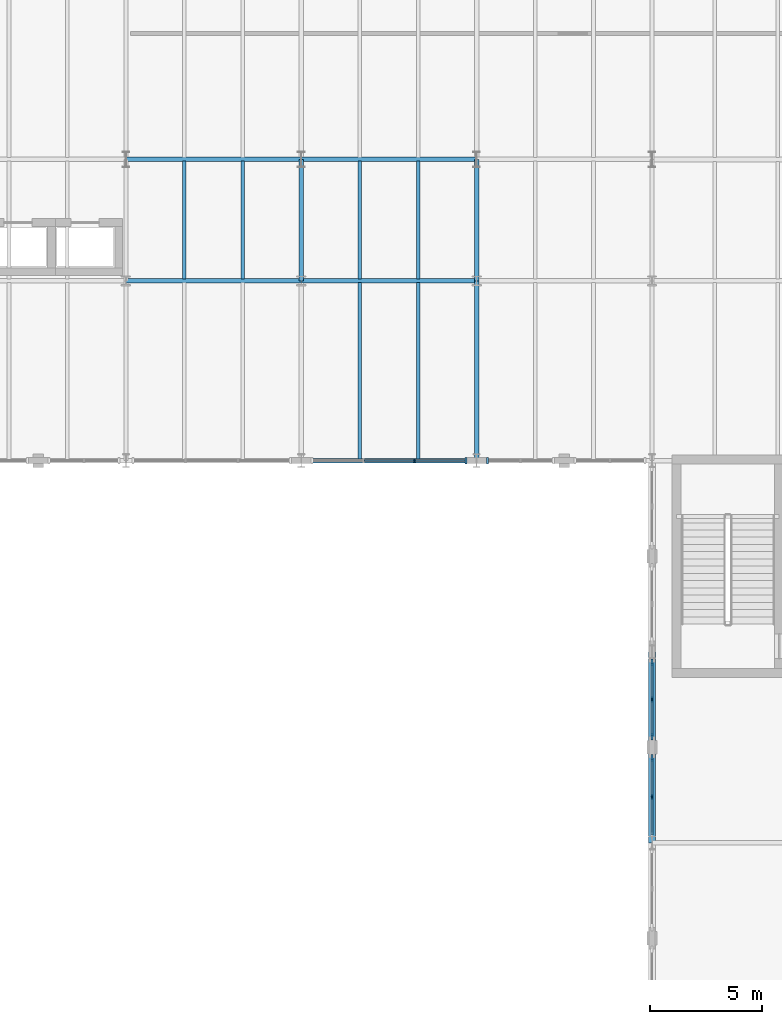
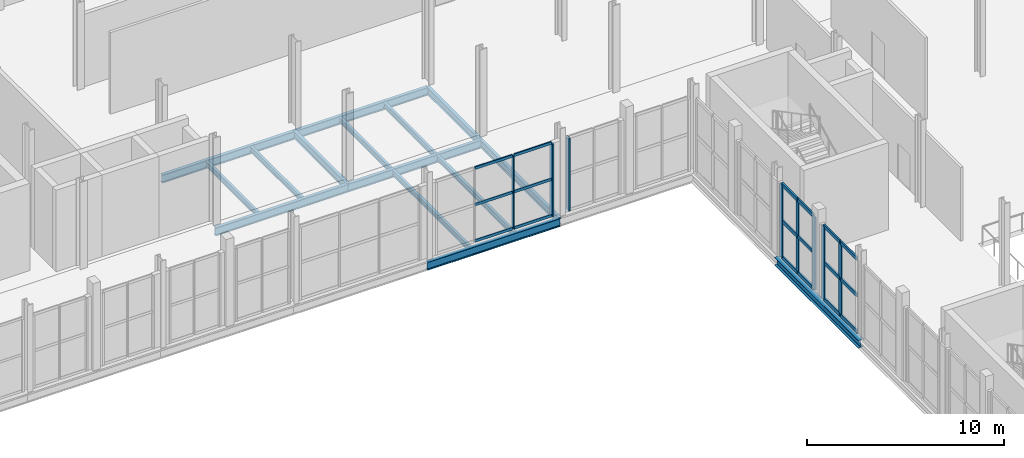
# One storey, part 31 of 78: 26 members, 15 beams, 4 elements without a shape of their own.
"""IFC4 building model written with IfcOpenShell, lengths in metres."""

from ifc_helpers import new_model, si_unit, direction, frame, origin, origin_2d, place, context, subcontext, project, spatial, rectangle, i_section, extrude, material, layer, layer_set, material_profile, profile_set, type_object, element, aggregate, save


model = new_model("IFC4")

# Units and contexts
model_context = context("Model", 3, precision=1e-05, world=origin(), true_north=direction((0.0, 1.0)))
body_context = subcontext(model_context, "Body", "Model", "MODEL_VIEW")
ifc_project = project(units=[si_unit("LENGTHUNIT", "METRE"), si_unit("AREAUNIT", "SQUARE_METRE"), si_unit("VOLUMEUNIT", "CUBIC_METRE"), si_unit("PLANEANGLEUNIT", "RADIAN"), si_unit("MASSUNIT", "GRAM", prefix="KILO")], contexts=[model_context])

# Site, building, storey
site_placement = place(None, origin())
site = spatial("IfcSite", under=ifc_project, at=site_placement, CompositionType="ELEMENT")
building_placement = place(site_placement, origin())
building = spatial("IfcBuilding", under=site, at=building_placement, Name="Sefraquen Railside Congress Hotel", CompositionType="ELEMENT")
storey_placement = place(building_placement, frame((0.0, 0.0, 6.0)))
storey = spatial("IfcBuildingStorey", under=building, at=storey_placement, Name="L01", CompositionType="ELEMENT", Elevation=6.0)

# Beams
ifc_material_1 = material(Name="Steel S355JR", Category="steel")
ifc_material_profile_1 = material_profile(ifc_material_1, i_section(OverallWidth=0.18994140625, OverallDepth=0.449951171875, WebThickness=0.009521484375, FlangeThickness=0.0146484375, FilletRadius=0.02099609375, at=origin_2d()), Name="IPE 450")
ifc_profile_set_1 = profile_set([ifc_material_profile_1], Name="Steel S355JR")
beam_type_1 = type_object("IfcBeamType", Name="TB-BM-450", PredefinedType="BEAM", material=ifc_profile_set_1)
beam_1_placement = place(storey_placement, frame((87.60009765625, 96.0, -0.52490234375), z_axis=(0.0, 1.0, 0.0), x_axis=(-1.0, 0.0, 0.0)))
element("IfcBeam", 1, at=beam_1_placement, inside=storey, type_object=beam_type_1, Name="Floor beam BM-L01-0592", PredefinedType="BEAM", context=body_context, shape_type="SweptSolid", body=[
    extrude(i_section(OverallWidth=0.18994140625, OverallDepth=0.449951171875, WebThickness=0.009521484375, FlangeThickness=0.0146484375, FilletRadius=0.02099609375, at=origin_2d()), origin(), (0.0, 0.0, 1.0), 5.39990234375),
])
beam_2_placement = place(storey_placement, frame((95.39990234375, 88.0, -0.52490234375), z_axis=(0.0, 1.0, 0.0), x_axis=(-1.0, 0.0, 0.0)))
element("IfcBeam", 2, at=beam_2_placement, inside=storey, type_object=beam_type_1, Name="Floor beam BM-L01-0600", PredefinedType="BEAM", context=body_context, shape_type="SweptSolid", body=[
    extrude(i_section(OverallWidth=0.18994140625, OverallDepth=0.449951171875, WebThickness=0.009521484375, FlangeThickness=0.0146484375, FilletRadius=0.02099609375, at=origin_2d()), origin(), (0.0, 0.0, 1.0), 8.0),
])
beam_3_placement = place(storey_placement, frame((95.39990234375, 96.0, -0.52490234375), z_axis=(0.0, 1.0, 0.0), x_axis=(-1.0, 0.0, 0.0)))
element("IfcBeam", 3, at=beam_3_placement, inside=storey, type_object=beam_type_1, Name="Floor beam BM-L01-0601", PredefinedType="BEAM", context=body_context, shape_type="SweptSolid", body=[
    extrude(i_section(OverallWidth=0.18994140625, OverallDepth=0.449951171875, WebThickness=0.009521484375, FlangeThickness=0.0146484375, FilletRadius=0.02099609375, at=origin_2d()), origin(), (0.0, 0.0, 1.0), 5.39990234375),
])
ifc_material_profile_2 = material_profile(ifc_material_1, i_section(OverallWidth=0.199951171875, OverallDepth=0.5, WebThickness=0.01025390625, FlangeThickness=0.01611328125, FilletRadius=0.02099609375, at=origin_2d()), Name="IPE 500")
ifc_profile_set_2 = profile_set([ifc_material_profile_2], Name="Steel S355JR")
beam_type_2 = type_object("IfcBeamType", Name="TB-BM-500", PredefinedType="BEAM", material=ifc_profile_set_2)
beam_4_placement = place(storey_placement, frame((87.60009765625, 88.0, -0.550048828125), z_axis=(1.0, 0.0, 0.0), x_axis=(0.0, 1.0, 0.0)))
element("IfcBeam", 4, at=beam_4_placement, inside=storey, type_object=beam_type_2, Name="Primary girder BM-L01-0444", PredefinedType="BEAM", context=body_context, shape_type="SweptSolid", body=[
    extrude(i_section(OverallWidth=0.199951171875, OverallDepth=0.5, WebThickness=0.01025390625, FlangeThickness=0.01611328125, FilletRadius=0.02099609375, at=origin_2d()), origin(), (0.0, 0.0, 1.0), 7.7998046875),
])
beam_5_placement = place(storey_placement, frame((79.800048828125, 96.0, -0.550048828125), z_axis=(1.0, 0.0, 0.0), x_axis=(0.0, 1.0, 0.0)))
element("IfcBeam", 5, at=beam_5_placement, inside=storey, type_object=beam_type_2, Name="Primary girder BM-L01-0458", PredefinedType="BEAM", context=body_context, shape_type="SweptSolid", body=[
    extrude(i_section(OverallWidth=0.199951171875, OverallDepth=0.5, WebThickness=0.01025390625, FlangeThickness=0.01611328125, FilletRadius=0.02099609375, at=origin_2d()), origin(), (0.0, 0.0, 1.0), 7.800048828125),
])
beam_6_placement = place(storey_placement, frame((87.60009765625, 96.0, -0.550048828125), z_axis=(1.0, 0.0, 0.0), x_axis=(0.0, 1.0, 0.0)))
element("IfcBeam", 6, at=beam_6_placement, inside=storey, type_object=beam_type_2, Name="Primary girder BM-L01-0459", PredefinedType="BEAM", context=body_context, shape_type="SweptSolid", body=[
    extrude(i_section(OverallWidth=0.199951171875, OverallDepth=0.5, WebThickness=0.01025390625, FlangeThickness=0.01611328125, FilletRadius=0.02099609375, at=origin_2d()), origin(), (0.0, 0.0, 1.0), 7.7998046875),
])
beam_7_placement = place(storey_placement, frame((79.800048828125, 101.39990234375, -0.550048828125), z_axis=(1.0, 0.0, 0.0), x_axis=(0.0, 1.0, 0.0)))
element("IfcBeam", 7, at=beam_7_placement, inside=storey, type_object=beam_type_2, Name="Primary girder BM-L01-0476", PredefinedType="BEAM", context=body_context, shape_type="SweptSolid", body=[
    extrude(i_section(OverallWidth=0.199951171875, OverallDepth=0.5, WebThickness=0.01025390625, FlangeThickness=0.01611328125, FilletRadius=0.02099609375, at=origin_2d()), origin(), (0.0, 0.0, 1.0), 7.800048828125),
])
beam_8_placement = place(storey_placement, frame((87.60009765625, 101.39990234375, -0.550048828125), z_axis=(1.0, 0.0, 0.0), x_axis=(0.0, 1.0, 0.0)))
element("IfcBeam", 8, at=beam_8_placement, inside=storey, type_object=beam_type_2, Name="Primary girder BM-L01-0477", PredefinedType="BEAM", context=body_context, shape_type="SweptSolid", body=[
    extrude(i_section(OverallWidth=0.199951171875, OverallDepth=0.5, WebThickness=0.01025390625, FlangeThickness=0.01611328125, FilletRadius=0.02099609375, at=origin_2d()), origin(), (0.0, 0.0, 1.0), 7.7998046875),
])
ifc_material_profile_3 = material_profile(ifc_material_1, i_section(OverallWidth=0.300048828125, OverallDepth=0.489990234375, WebThickness=0.011962890625, FlangeThickness=0.02294921875, FilletRadius=0.027099609375, at=origin_2d()), Name="HEA 500")
ifc_profile_set_3 = profile_set([ifc_material_profile_3], Name="Steel S355JR")
beam_type_3 = type_object("IfcBeamType", Name="TB-GIR-500", PredefinedType="T_BEAM", material=ifc_profile_set_3)
beam_9_placement = place(storey_placement, frame((103.199951171875, 71.0, -0.544921875), z_axis=(0.0, 1.0, 0.0), x_axis=(-1.0, 0.0, 0.0)))
element("IfcBeam", 9, at=beam_9_placement, inside=storey, type_object=beam_type_3, Name="Floor beam BM-L01-0611", PredefinedType="T_BEAM", context=body_context, shape_type="SweptSolid", body=[
    extrude(i_section(OverallWidth=0.300048828125, OverallDepth=0.489990234375, WebThickness=0.011962890625, FlangeThickness=0.02294921875, FilletRadius=0.027099609375, at=origin_2d()), origin(), (0.0, 0.0, 1.0), 8.5),
])
ifc_material_profile_4 = material_profile(ifc_material_1, i_section(OverallWidth=0.159912109375, OverallDepth=0.330078125, WebThickness=0.007568359375, FlangeThickness=0.011474609375, FilletRadius=0.01806640625, at=origin_2d()), Name="IPE 330")
ifc_profile_set_4 = profile_set([ifc_material_profile_4], Name="Steel S355JR")
beam_type_4 = type_object("IfcBeamType", Name="TB-JST-330", PredefinedType="JOIST", material=ifc_profile_set_4)
for number, where, z_axis, x_axis, name in (
    (10, (82.39990234375, 96.080078125, -0.465087890625), (0.0, 1.0, 0.0), (-1.0, 0.0, 0.0), "Composite floor joist BM-L01-J0318"),
    (11, (85.0, 96.080078125, -0.465087890625), (0.0, 1.0, 0.0), (-1.0, 0.0, 0.0), "Composite floor joist BM-L01-J0319"),
):
    element("IfcBeam", number, at=place(storey_placement, frame(where, z_axis=z_axis, x_axis=x_axis)), inside=storey, type_object=beam_type_4, Name=name, PredefinedType="JOIST", context=body_context, shape_type="SweptSolid", body=[
        extrude(i_section(OverallWidth=0.159912109375, OverallDepth=0.330078125, WebThickness=0.007568359375, FlangeThickness=0.011474609375, FilletRadius=0.01806640625, at=origin_2d()), origin(), (0.0, 0.0, 1.0), 5.239990234375),
    ])
for number, where, z_axis, x_axis, name in (
    (12, (90.199951171875, 88.080078125, -0.465087890625), (0.0, 1.0, 0.0), (-1.0, 0.0, 0.0), "Composite floor joist BM-L01-J0334"),
    (13, (92.800048828125, 88.080078125, -0.465087890625), (0.0, 1.0, 0.0), (-1.0, 0.0, 0.0), "Composite floor joist BM-L01-J0335"),
):
    element("IfcBeam", number, at=place(storey_placement, frame(where, z_axis=z_axis, x_axis=x_axis)), inside=storey, type_object=beam_type_4, Name=name, PredefinedType="JOIST", context=body_context, shape_type="SweptSolid", body=[
        extrude(i_section(OverallWidth=0.159912109375, OverallDepth=0.330078125, WebThickness=0.007568359375, FlangeThickness=0.011474609375, FilletRadius=0.01806640625, at=origin_2d()), origin(), (0.0, 0.0, 1.0), 7.83984375),
    ])
for number, where, z_axis, x_axis, name in (
    (14, (90.199951171875, 96.080078125, -0.465087890625), (0.0, 1.0, 0.0), (-1.0, 0.0, 0.0), "Composite floor joist BM-L01-J0336"),
    (15, (92.800048828125, 96.080078125, -0.465087890625), (0.0, 1.0, 0.0), (-1.0, 0.0, 0.0), "Composite floor joist BM-L01-J0337"),
):
    element("IfcBeam", number, at=place(storey_placement, frame(where, z_axis=z_axis, x_axis=x_axis)), inside=storey, type_object=beam_type_4, Name=name, PredefinedType="JOIST", context=body_context, shape_type="SweptSolid", body=[
        extrude(i_section(OverallWidth=0.159912109375, OverallDepth=0.330078125, WebThickness=0.007568359375, FlangeThickness=0.011474609375, FilletRadius=0.01806640625, at=origin_2d()), origin(), (0.0, 0.0, 1.0), 5.239990234375),
    ])

# Curtain wall, member
ifc_material_2 = material(Name="Thermally broken anodised aluminium and low-E double glazing", Category="aluminium")
ifc_layer_1 = layer(ifc_material_2, 0.199951171875)
ifc_layer_set_1 = layer_set([ifc_layer_1], Name="Thermally broken anodised aluminium and low-E double glazing")
curtain_wall_type_1 = type_object("IfcCurtainWallType", Name="TCW-UCW-12", PredefinedType="USERDEFINED", material=ifc_layer_set_1)
curtain_wall_1_placement = place(storey_placement, origin())
curtain_wall_1 = element("IfcCurtainWall", 16, at=curtain_wall_1_placement, inside=storey, type_object=curtain_wall_type_1, Name="Courtyard north gallery curtain wall L01-3 bay 2", ObjectType="UNITISED CURTAIN WALL", PredefinedType="USERDEFINED")
ifc_material_3 = material(Name="Thermally broken anodised aluminium 6063-T6", Category="aluminium")
ifc_material_profile_5 = material_profile(ifc_material_3, rectangle(XDim=0.06494140625, YDim=0.179931640625, at=origin_2d()), Name="CWM 65x180")
ifc_profile_set_5 = profile_set([ifc_material_profile_5], Name="Thermally broken anodised aluminium 6063-T6")
member_type_1 = type_object("IfcMemberType", Name="TM-CWM-02", PredefinedType="MULLION", material=ifc_profile_set_5)
member_1_placement = place(storey_placement, frame((92.639892578125, 88.0, 0.0), z_axis=(0.0, 0.0, 1.0), x_axis=(1.0, 0.0, 0.0)))
member_1 = element("IfcMember", 17, at=member_1_placement, type_object=member_type_1, Name="CW-L01-044-S2 mullion 3", PredefinedType="MULLION", context=body_context, shape_type="SweptSolid", body=[
    extrude(rectangle(XDim=0.06494140625, YDim=0.179931640625, at=origin_2d()), origin(), (0.0, 0.0, 1.0), 4.5),
])

ifc_layer_2 = layer(ifc_material_2, 0.199951171875)
ifc_layer_set_2 = layer_set([ifc_layer_2], Name="Thermally broken anodised aluminium and low-E double glazing")
curtain_wall_type_2 = type_object("IfcCurtainWallType", Name="TCW-UCW-16", PredefinedType="USERDEFINED", material=ifc_layer_set_2)
curtain_wall_2_placement = place(storey_placement, origin())
curtain_wall_2 = element("IfcCurtainWall", 18, at=curtain_wall_2_placement, inside=storey, type_object=curtain_wall_type_2, Name="Courtyard east gallery curtain wall L01", ObjectType="UNITISED CURTAIN WALL", PredefinedType="USERDEFINED")
ifc_material_profile_6 = material_profile(ifc_material_3, rectangle(XDim=0.0849609375, YDim=0.260009765625, at=origin_2d()), Name="CWM 85x260")
ifc_profile_set_6 = profile_set([ifc_material_profile_6], Name="Thermally broken anodised aluminium 6063-T6")
member_type_2 = type_object("IfcMemberType", Name="TM-CWM-06", PredefinedType="MULLION", material=ifc_profile_set_6)
member_2_placement = place(storey_placement, frame((103.199951171875, 73.0400390625, 0.0), z_axis=(0.0, 0.0, 1.0), x_axis=(1.0, 0.0, 0.0)))
member_2 = element("IfcMember", 19, at=member_2_placement, type_object=member_type_2, Name="CW-L01-048 mullion 2", PredefinedType="MULLION", context=body_context, shape_type="SweptSolid", body=[
    extrude(rectangle(XDim=0.0849609375, YDim=0.260009765625, at=origin_2d()), origin(), (0.0, 0.0, 1.0), 4.5),
])

curtain_wall_3_placement = place(storey_placement, origin())
curtain_wall_3 = element("IfcCurtainWall", 20, at=curtain_wall_3_placement, inside=storey, type_object=curtain_wall_type_2, Name="Courtyard east gallery curtain wall L01 bay 2", ObjectType="UNITISED CURTAIN WALL", PredefinedType="USERDEFINED")
member_3_placement = place(storey_placement, frame((103.199951171875, 77.375, 0.0), z_axis=(0.0, 0.0, 1.0), x_axis=(1.0, 0.0, 0.0)))
member_3 = element("IfcMember", 21, at=member_3_placement, type_object=member_type_2, Name="CW-L01-048-S2 mullion 2", PredefinedType="MULLION", context=body_context, shape_type="SweptSolid", body=[
    extrude(rectangle(XDim=0.0849609375, YDim=0.260009765625, at=origin_2d()), origin(), (0.0, 0.0, 1.0), 4.5),
])

# Member
ifc_material_profile_7 = material_profile(ifc_material_3, rectangle(XDim=0.094970703125, YDim=0.300048828125, at=origin_2d()), Name="CWM 95x300")
ifc_profile_set_7 = profile_set([ifc_material_profile_7], Name="Thermally broken anodised aluminium 6063-T6")
member_type_3 = type_object("IfcMemberType", Name="TM-CWM-08", PredefinedType="MULLION", material=ifc_profile_set_7)
member_4_placement = place(storey_placement, frame((94.919921875, 88.0, 0.0), z_axis=(0.0, 0.0, 1.0), x_axis=(1.0, 0.0, 0.0)))
member_4 = element("IfcMember", 22, at=member_4_placement, type_object=member_type_3, Name="CW-L01-044-S2 mullion 4", PredefinedType="MULLION", context=body_context, shape_type="SweptSolid", body=[
    extrude(rectangle(XDim=0.094970703125, YDim=0.300048828125, at=origin_2d()), origin(), (0.0, 0.0, 1.0), 4.5),
])

# Curtain wall, member
curtain_wall_4_placement = place(storey_placement, origin())
curtain_wall_4 = element("IfcCurtainWall", 23, at=curtain_wall_4_placement, inside=storey, type_object=curtain_wall_type_1, Name="Courtyard north gallery curtain wall L01-3 bay 3", ObjectType="UNITISED CURTAIN WALL", PredefinedType="USERDEFINED")
member_5_placement = place(storey_placement, frame((95.8798828125, 88.0, 0.0), z_axis=(0.0, 0.0, 1.0), x_axis=(1.0, 0.0, 0.0)))
member_5 = element("IfcMember", 24, at=member_5_placement, type_object=member_type_3, Name="CW-L01-044-S3 mullion 1", PredefinedType="MULLION", context=body_context, shape_type="SweptSolid", body=[
    extrude(rectangle(XDim=0.094970703125, YDim=0.300048828125, at=origin_2d()), origin(), (0.0, 0.0, 1.0), 4.5),
])
aggregate(curtain_wall_4, [member_5])

# Member
member_6_placement = place(storey_placement, frame((103.199951171875, 74.77001953125, 0.0), z_axis=(0.0, 0.0, 1.0), x_axis=(1.0, 0.0, 0.0)))
member_6 = element("IfcMember", 25, at=member_6_placement, type_object=member_type_3, Name="CW-L01-048 mullion 3", PredefinedType="MULLION", context=body_context, shape_type="SweptSolid", body=[
    extrude(rectangle(XDim=0.094970703125, YDim=0.300048828125, at=origin_2d()), origin(), (0.0, 0.0, 1.0), 4.5),
])

member_7_placement = place(storey_placement, frame((103.199951171875, 75.72998046875, 0.0), z_axis=(0.0, 0.0, 1.0), x_axis=(1.0, 0.0, 0.0)))
member_7 = element("IfcMember", 26, at=member_7_placement, type_object=member_type_3, Name="CW-L01-048-S2 mullion 1", PredefinedType="MULLION", context=body_context, shape_type="SweptSolid", body=[
    extrude(rectangle(XDim=0.094970703125, YDim=0.300048828125, at=origin_2d()), origin(), (0.0, 0.0, 1.0), 4.5),
])

member_8_placement = place(storey_placement, frame((103.199951171875, 79.02001953125, 0.0), z_axis=(0.0, 0.0, 1.0), x_axis=(1.0, 0.0, 0.0)))
member_8 = element("IfcMember", 27, at=member_8_placement, type_object=member_type_3, Name="CW-L01-048-S2 mullion 3", PredefinedType="MULLION", context=body_context, shape_type="SweptSolid", body=[
    extrude(rectangle(XDim=0.094970703125, YDim=0.300048828125, at=origin_2d()), origin(), (0.0, 0.0, 1.0), 4.5),
])

ifc_material_profile_8 = material_profile(ifc_material_3, rectangle(XDim=0.074951171875, YDim=0.1650390625, at=origin_2d()), Name="CWT 75x165")
ifc_profile_set_8 = profile_set([ifc_material_profile_8], Name="Thermally broken anodised aluminium 6063-T6")
member_type_4 = type_object("IfcMemberType", Name="TM-CWT-04", PredefinedType="USERDEFINED", material=ifc_profile_set_8)
member_9_placement = place(storey_placement, frame((90.405029296875, 88.0, 0.0), z_axis=(1.0, 0.0, 0.0), x_axis=(0.0, 1.0, 0.0)))
member_9 = element("IfcMember", 28, at=member_9_placement, type_object=member_type_4, Name="CW-L01-044-S2 transom 1.2", ObjectType="TRANSOM", PredefinedType="USERDEFINED", context=body_context, shape_type="SweptSolid", body=[
    extrude(rectangle(XDim=0.074951171875, YDim=0.1650390625, at=origin_2d()), origin(), (0.0, 0.0, 1.0), 2.18994140625),
])

member_10_placement = place(storey_placement, frame((92.68505859375, 88.0, 0.0), z_axis=(1.0, 0.0, 0.0), x_axis=(0.0, 1.0, 0.0)))
member_10 = element("IfcMember", 29, at=member_10_placement, type_object=member_type_4, Name="CW-L01-044-S2 transom 1.3", ObjectType="TRANSOM", PredefinedType="USERDEFINED", context=body_context, shape_type="SweptSolid", body=[
    extrude(rectangle(XDim=0.074951171875, YDim=0.1650390625, at=origin_2d()), origin(), (0.0, 0.0, 1.0), 2.18994140625),
])

member_11_placement = place(storey_placement, frame((90.405029296875, 88.0, 2.25), z_axis=(1.0, 0.0, 0.0), x_axis=(0.0, 1.0, 0.0)))
member_11 = element("IfcMember", 30, at=member_11_placement, type_object=member_type_4, Name="CW-L01-044-S2 transom 2.2", ObjectType="TRANSOM", PredefinedType="USERDEFINED", context=body_context, shape_type="SweptSolid", body=[
    extrude(rectangle(XDim=0.074951171875, YDim=0.1650390625, at=origin_2d()), origin(), (0.0, 0.0, 1.0), 2.18994140625),
])

member_12_placement = place(storey_placement, frame((92.68505859375, 88.0, 2.25), z_axis=(1.0, 0.0, 0.0), x_axis=(0.0, 1.0, 0.0)))
member_12 = element("IfcMember", 31, at=member_12_placement, type_object=member_type_4, Name="CW-L01-044-S2 transom 2.3", ObjectType="TRANSOM", PredefinedType="USERDEFINED", context=body_context, shape_type="SweptSolid", body=[
    extrude(rectangle(XDim=0.074951171875, YDim=0.1650390625, at=origin_2d()), origin(), (0.0, 0.0, 1.0), 2.18994140625),
])

member_13_placement = place(storey_placement, frame((90.405029296875, 88.0, 4.5), z_axis=(1.0, 0.0, 0.0), x_axis=(0.0, 1.0, 0.0)))
member_13 = element("IfcMember", 32, at=member_13_placement, type_object=member_type_4, Name="CW-L01-044-S2 transom 3.2", ObjectType="TRANSOM", PredefinedType="USERDEFINED", context=body_context, shape_type="SweptSolid", body=[
    extrude(rectangle(XDim=0.074951171875, YDim=0.1650390625, at=origin_2d()), origin(), (0.0, 0.0, 1.0), 2.18994140625),
])

member_14_placement = place(storey_placement, frame((92.68505859375, 88.0, 4.5), z_axis=(1.0, 0.0, 0.0), x_axis=(0.0, 1.0, 0.0)))
member_14 = element("IfcMember", 33, at=member_14_placement, type_object=member_type_4, Name="CW-L01-044-S2 transom 3.3", ObjectType="TRANSOM", PredefinedType="USERDEFINED", context=body_context, shape_type="SweptSolid", body=[
    extrude(rectangle(XDim=0.074951171875, YDim=0.1650390625, at=origin_2d()), origin(), (0.0, 0.0, 1.0), 2.18994140625),
])

aggregate(curtain_wall_1, [member_1, member_4, member_9, member_10, member_11, member_12, member_13, member_14])

ifc_material_profile_9 = material_profile(ifc_material_3, rectangle(XDim=0.094970703125, YDim=0.22509765625, at=origin_2d()), Name="CWT 95x225")
ifc_profile_set_9 = profile_set([ifc_material_profile_9], Name="Thermally broken anodised aluminium 6063-T6")
member_type_5 = type_object("IfcMemberType", Name="TM-CWT-08", PredefinedType="USERDEFINED", material=ifc_profile_set_9)
member_15_placement = place(storey_placement, frame((103.199951171875, 71.35498046875, 0.0), z_axis=(0.0, 1.0, 0.0), x_axis=(-1.0, 0.0, 0.0)))
member_15 = element("IfcMember", 34, at=member_15_placement, type_object=member_type_5, Name="CW-L01-048 transom 1.1", ObjectType="TRANSOM", PredefinedType="USERDEFINED", context=body_context, shape_type="SweptSolid", body=[
    extrude(rectangle(XDim=0.094970703125, YDim=0.22509765625, at=origin_2d()), origin(), (0.0, 0.0, 1.0), 1.64013671875),
])

member_16_placement = place(storey_placement, frame((103.199951171875, 73.0849609375, 0.0), z_axis=(0.0, 1.0, 0.0), x_axis=(-1.0, 0.0, 0.0)))
member_16 = element("IfcMember", 35, at=member_16_placement, type_object=member_type_5, Name="CW-L01-048 transom 1.2", ObjectType="TRANSOM", PredefinedType="USERDEFINED", context=body_context, shape_type="SweptSolid", body=[
    extrude(rectangle(XDim=0.094970703125, YDim=0.22509765625, at=origin_2d()), origin(), (0.0, 0.0, 1.0), 1.64013671875),
])

member_17_placement = place(storey_placement, frame((103.199951171875, 71.35498046875, 2.25), z_axis=(0.0, 1.0, 0.0), x_axis=(-1.0, 0.0, 0.0)))
member_17 = element("IfcMember", 36, at=member_17_placement, type_object=member_type_5, Name="CW-L01-048 transom 2.1", ObjectType="TRANSOM", PredefinedType="USERDEFINED", context=body_context, shape_type="SweptSolid", body=[
    extrude(rectangle(XDim=0.094970703125, YDim=0.22509765625, at=origin_2d()), origin(), (0.0, 0.0, 1.0), 1.64013671875),
])

member_18_placement = place(storey_placement, frame((103.199951171875, 73.0849609375, 2.25), z_axis=(0.0, 1.0, 0.0), x_axis=(-1.0, 0.0, 0.0)))
member_18 = element("IfcMember", 37, at=member_18_placement, type_object=member_type_5, Name="CW-L01-048 transom 2.2", ObjectType="TRANSOM", PredefinedType="USERDEFINED", context=body_context, shape_type="SweptSolid", body=[
    extrude(rectangle(XDim=0.094970703125, YDim=0.22509765625, at=origin_2d()), origin(), (0.0, 0.0, 1.0), 1.64013671875),
])

member_19_placement = place(storey_placement, frame((103.199951171875, 71.35498046875, 4.5), z_axis=(0.0, 1.0, 0.0), x_axis=(-1.0, 0.0, 0.0)))
member_19 = element("IfcMember", 38, at=member_19_placement, type_object=member_type_5, Name="CW-L01-048 transom 3.1", ObjectType="TRANSOM", PredefinedType="USERDEFINED", context=body_context, shape_type="SweptSolid", body=[
    extrude(rectangle(XDim=0.094970703125, YDim=0.22509765625, at=origin_2d()), origin(), (0.0, 0.0, 1.0), 1.64013671875),
])

member_20_placement = place(storey_placement, frame((103.199951171875, 73.0849609375, 4.5), z_axis=(0.0, 1.0, 0.0), x_axis=(-1.0, 0.0, 0.0)))
member_20 = element("IfcMember", 39, at=member_20_placement, type_object=member_type_5, Name="CW-L01-048 transom 3.2", ObjectType="TRANSOM", PredefinedType="USERDEFINED", context=body_context, shape_type="SweptSolid", body=[
    extrude(rectangle(XDim=0.094970703125, YDim=0.22509765625, at=origin_2d()), origin(), (0.0, 0.0, 1.0), 1.64013671875),
])

aggregate(curtain_wall_2, [member_2, member_6, member_15, member_16, member_17, member_18, member_19, member_20])

member_21_placement = place(storey_placement, frame((103.199951171875, 75.77490234375, 0.0), z_axis=(0.0, 1.0, 0.0), x_axis=(-1.0, 0.0, 0.0)))
member_21 = element("IfcMember", 40, at=member_21_placement, type_object=member_type_5, Name="CW-L01-048-S2 transom 1.1", ObjectType="TRANSOM", PredefinedType="USERDEFINED", context=body_context, shape_type="SweptSolid", body=[
    extrude(rectangle(XDim=0.094970703125, YDim=0.22509765625, at=origin_2d()), origin(), (0.0, 0.0, 1.0), 1.55517578125),
])

member_22_placement = place(storey_placement, frame((103.199951171875, 77.419921875, 0.0), z_axis=(0.0, 1.0, 0.0), x_axis=(-1.0, 0.0, 0.0)))
member_22 = element("IfcMember", 41, at=member_22_placement, type_object=member_type_5, Name="CW-L01-048-S2 transom 1.2", ObjectType="TRANSOM", PredefinedType="USERDEFINED", context=body_context, shape_type="SweptSolid", body=[
    extrude(rectangle(XDim=0.094970703125, YDim=0.22509765625, at=origin_2d()), origin(), (0.0, 0.0, 1.0), 1.55517578125),
])

member_23_placement = place(storey_placement, frame((103.199951171875, 75.77490234375, 2.25), z_axis=(0.0, 1.0, 0.0), x_axis=(-1.0, 0.0, 0.0)))
member_23 = element("IfcMember", 42, at=member_23_placement, type_object=member_type_5, Name="CW-L01-048-S2 transom 2.1", ObjectType="TRANSOM", PredefinedType="USERDEFINED", context=body_context, shape_type="SweptSolid", body=[
    extrude(rectangle(XDim=0.094970703125, YDim=0.22509765625, at=origin_2d()), origin(), (0.0, 0.0, 1.0), 1.55517578125),
])

member_24_placement = place(storey_placement, frame((103.199951171875, 77.419921875, 2.25), z_axis=(0.0, 1.0, 0.0), x_axis=(-1.0, 0.0, 0.0)))
member_24 = element("IfcMember", 43, at=member_24_placement, type_object=member_type_5, Name="CW-L01-048-S2 transom 2.2", ObjectType="TRANSOM", PredefinedType="USERDEFINED", context=body_context, shape_type="SweptSolid", body=[
    extrude(rectangle(XDim=0.094970703125, YDim=0.22509765625, at=origin_2d()), origin(), (0.0, 0.0, 1.0), 1.55517578125),
])

member_25_placement = place(storey_placement, frame((103.199951171875, 75.77490234375, 4.5), z_axis=(0.0, 1.0, 0.0), x_axis=(-1.0, 0.0, 0.0)))
member_25 = element("IfcMember", 44, at=member_25_placement, type_object=member_type_5, Name="CW-L01-048-S2 transom 3.1", ObjectType="TRANSOM", PredefinedType="USERDEFINED", context=body_context, shape_type="SweptSolid", body=[
    extrude(rectangle(XDim=0.094970703125, YDim=0.22509765625, at=origin_2d()), origin(), (0.0, 0.0, 1.0), 1.55517578125),
])

member_26_placement = place(storey_placement, frame((103.199951171875, 77.419921875, 4.5), z_axis=(0.0, 1.0, 0.0), x_axis=(-1.0, 0.0, 0.0)))
member_26 = element("IfcMember", 45, at=member_26_placement, type_object=member_type_5, Name="CW-L01-048-S2 transom 3.2", ObjectType="TRANSOM", PredefinedType="USERDEFINED", context=body_context, shape_type="SweptSolid", body=[
    extrude(rectangle(XDim=0.094970703125, YDim=0.22509765625, at=origin_2d()), origin(), (0.0, 0.0, 1.0), 1.55517578125),
])

aggregate(curtain_wall_3, [member_7, member_3, member_8, member_21, member_22, member_23, member_24, member_25, member_26])

save(model, "model.ifc")
